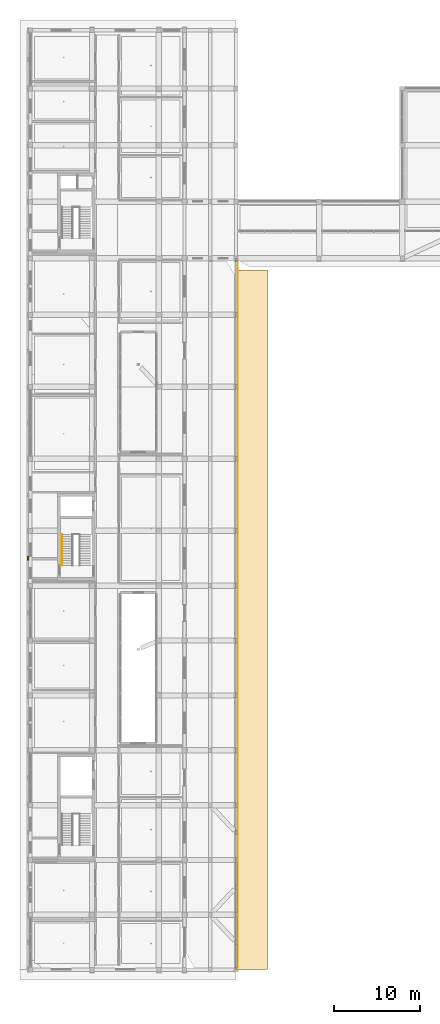
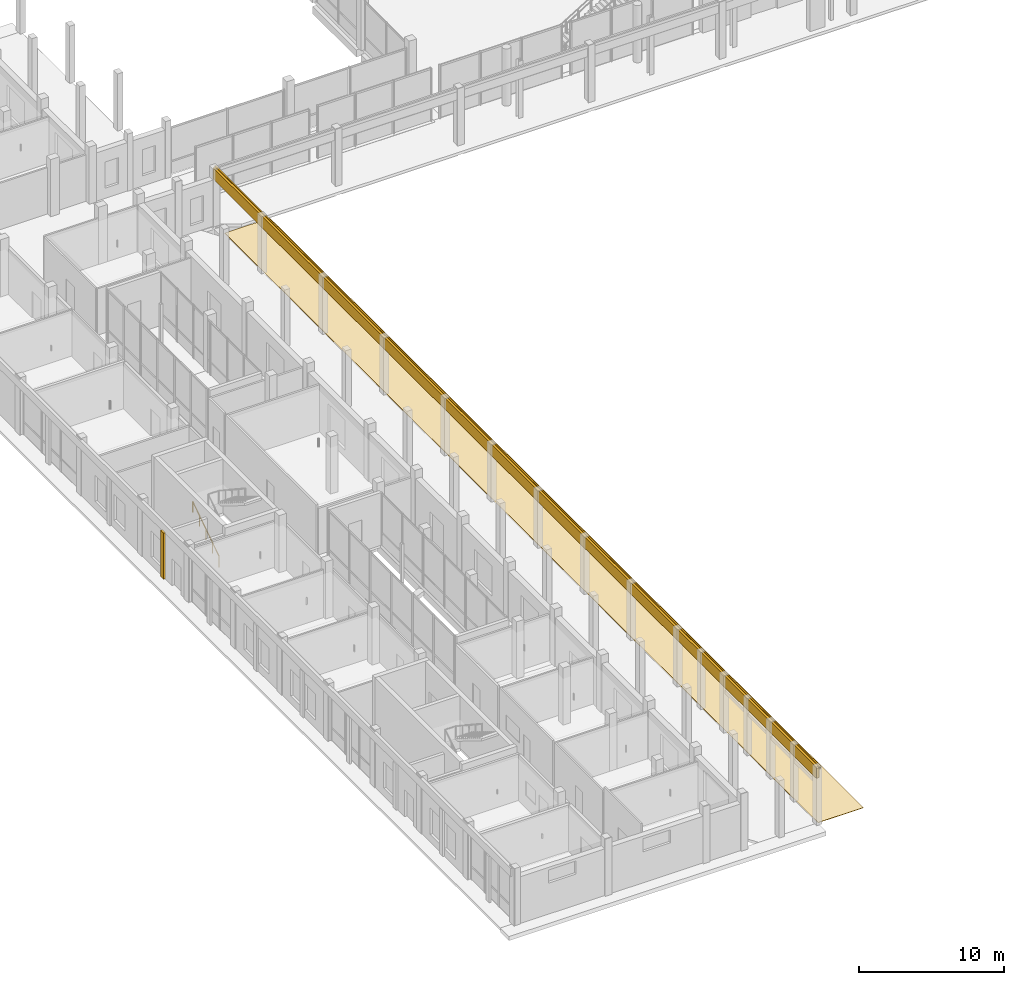
# One storey, part 72 of 88: 4 coverings, 1 railing.
"""IFC4 building model written with IfcOpenShell, lengths in metres."""

from ifc_helpers import new_model, si_unit, derived_unit, direction, frame, origin, origin_2d, place, context, subcontext, project, spatial, polyline, rectangle, circle, outline, extrude, material, layer, layer_set, type_object, element, save


model = new_model("IFC4")

# Units and contexts
model_context = context("Model", 3, precision=1e-05, world=origin(), true_north=direction((0.0, 1.0)))
body_context = subcontext(model_context, "Body", "Model", "MODEL_VIEW")
ifc_project = project(units=[si_unit("LENGTHUNIT", "METRE"), si_unit("AREAUNIT", "SQUARE_METRE"), si_unit("VOLUMEUNIT", "CUBIC_METRE"), si_unit("PLANEANGLEUNIT", "RADIAN"), si_unit("MASSUNIT", "GRAM", prefix="KILO"), derived_unit("THERMALTRANSMITTANCEUNIT", [(si_unit("POWERUNIT", "WATT"), 1), (si_unit("LENGTHUNIT", "METRE"), -2), (si_unit("THERMODYNAMICTEMPERATUREUNIT", "KELVIN"), -1)])], contexts=[model_context])

# Site, building, storey
site_placement = place(None, origin())
site = spatial("IfcSite", under=ifc_project, at=site_placement, CompositionType="ELEMENT")
building_placement = place(site_placement, origin())
building = spatial("IfcBuilding", under=site, at=building_placement, Name="Braskholm Square Health Centre", CompositionType="ELEMENT")
storey_placement = place(building_placement, origin())
storey = spatial("IfcBuildingStorey", under=building, at=storey_placement, Name="L01", CompositionType="ELEMENT", Elevation=0.0)

# Coverings
ifc_material_1 = material(Name="Dark patinated chevron architectural bronze", Category="aluminium")
ifc_layer_1 = layer(ifc_material_1, 0.070068359375)
ifc_layer_set_1 = layer_set([ifc_layer_1], Name="Dark patinated chevron architectural bronze")
covering_type_1 = type_object("IfcCoveringType", Name="BronzeZigguratFriezeCladding", PredefinedType="CLADDING", material=ifc_layer_set_1)
covering_1_placement = place(storey_placement, frame((28.340087890625, 45.699951171875, 4.5498046875), z_axis=(0.0, 0.0, 1.0), x_axis=(1.0, 0.0, 0.0)))
element("IfcCovering", 1, at=covering_1_placement, inside=storey, type_object=covering_type_1, Name="Classical Art Deco architectural trim 0882", PredefinedType="CLADDING", context=body_context, shape_type="SweptSolid", body=[
    extrude(rectangle(XDim=0.10009765625, YDim=83.199951171875, at=origin_2d()), origin(), (0.0, 0.0, 1.0), 0.219970703125),
])
ifc_material_2 = material(Name="Intensive botanical sedum and native prairie garden bed")
ifc_layer_2 = layer(ifc_material_2, 0.030029296875)
ifc_layer_set_2 = layer_set([ifc_layer_2], Name="Intensive botanical sedum and native prairie garden bed")
covering_type_2 = type_object("IfcCoveringType", Name="GreenValleyGardenPromenade", PredefinedType="FLOORING", material=ifc_layer_set_2)
covering_2_placement = place(storey_placement, frame((0.0, 0.0, -0.02001953125)))
element("IfcCovering", 2, at=covering_2_placement, inside=storey, type_object=covering_type_2, Name="Green Valley landscaped prairie garden border 01", PredefinedType="FLOORING", context=body_context, shape_type="SweptSolid", body=[
    extrude(outline(polyline([(28.25, 4.199951171875), (31.85009765625, 4.199951171875), (31.85009765625, 85.85009765625), (28.25, 85.85009765625), (28.25, 4.199951171875)])), origin(), (0.0, 0.0, 1.0), 0.030029296875),
])
ifc_material_3 = material(Name="Mankato-Kasota dolomitic limestone ashlar", Category="masonry")
ifc_layer_3 = layer(ifc_material_3, 0.090087890625)
ifc_layer_set_3 = layer_set([ifc_layer_3], Name="Mankato-Kasota dolomitic limestone ashlar")
covering_type_3 = type_object("IfcCoveringType", Name="KasotaAshlarBaseCladding", PredefinedType="CLADDING", material=ifc_layer_set_3)
covering_3_placement = place(storey_placement, frame((3.929931640625, 52.199951171875, 0.0), z_axis=(0.0, 0.0, 1.0), x_axis=(1.0, 0.0, 0.0)))
element("IfcCovering", 3, at=covering_3_placement, inside=storey, type_object=covering_type_3, Name="Fluted Kasota limestone base pilaster 0387", PredefinedType="CLADDING", context=body_context, shape_type="SweptSolid", body=[
    extrude(rectangle(XDim=0.159912109375, YDim=0.419921875, at=origin_2d()), origin(), (0.0, 0.0, 1.0), 3.8701171875),
])
covering_4_placement = place(storey_placement, frame((28.219970703125, 45.699951171875, 3.77490234375), z_axis=(0.0, 0.0, 1.0), x_axis=(1.0, 0.0, 0.0)))
element("IfcCovering", 4, at=covering_4_placement, inside=storey, type_object=covering_type_3, Name="Classical Art Deco architectural trim 0881", PredefinedType="CLADDING", context=body_context, shape_type="SweptSolid", body=[
    extrude(rectangle(XDim=0.219970703125, YDim=83.0, at=origin_2d()), origin(), (0.0, 0.0, 1.0), 0.949951171875),
])

# Railing
railing_type = type_object("IfcRailingType", Name="StairTubularHandrail915", PredefinedType="HANDRAIL", material=ifc_material_1)
railing_placement = place(storey_placement, frame((7.89990234375, 51.360107421875, 0.0)))
element("IfcRailing", 5, at=railing_placement, inside=storey, type_object=railing_type, Name="Stair ST-02 wall handrail F1 L01", PredefinedType="HANDRAIL", context=body_context, shape_type="SweptSolid", body=[
    extrude(circle(Radius=0.02392578125, at=origin_2d()), frame((0.0, 0.0, 0.89111328125), z_axis=(0.0, 0.834865213223, 0.550454426587), x_axis=(-1.0, 0.0, 0.0)), (0.0, 0.0, 1.0), 4.35986328125),
    extrude(circle(Radius=0.02099609375, at=origin_2d()), origin(), (0.0, 0.0, 1.0), 0.866943359375),
    extrude(circle(Radius=0.02099609375, at=origin_2d()), frame((0.0, 0.909912109375, 0.60009765625)), (0.0, 0.0, 1.0), 0.866943359375),
    extrude(circle(Radius=0.02099609375, at=origin_2d()), frame((0.0, 1.81982421875, 1.199951171875)), (0.0, 0.0, 1.0), 0.866943359375),
    extrude(circle(Radius=0.02099609375, at=origin_2d()), frame((0.0, 2.72998046875, 1.7998046875)), (0.0, 0.0, 1.0), 0.866943359375),
    extrude(circle(Radius=0.02099609375, at=origin_2d()), frame((0.0, 3.639892578125, 2.39990234375)), (0.0, 0.0, 1.0), 0.866943359375),
])

save(model, "model.ifc")
